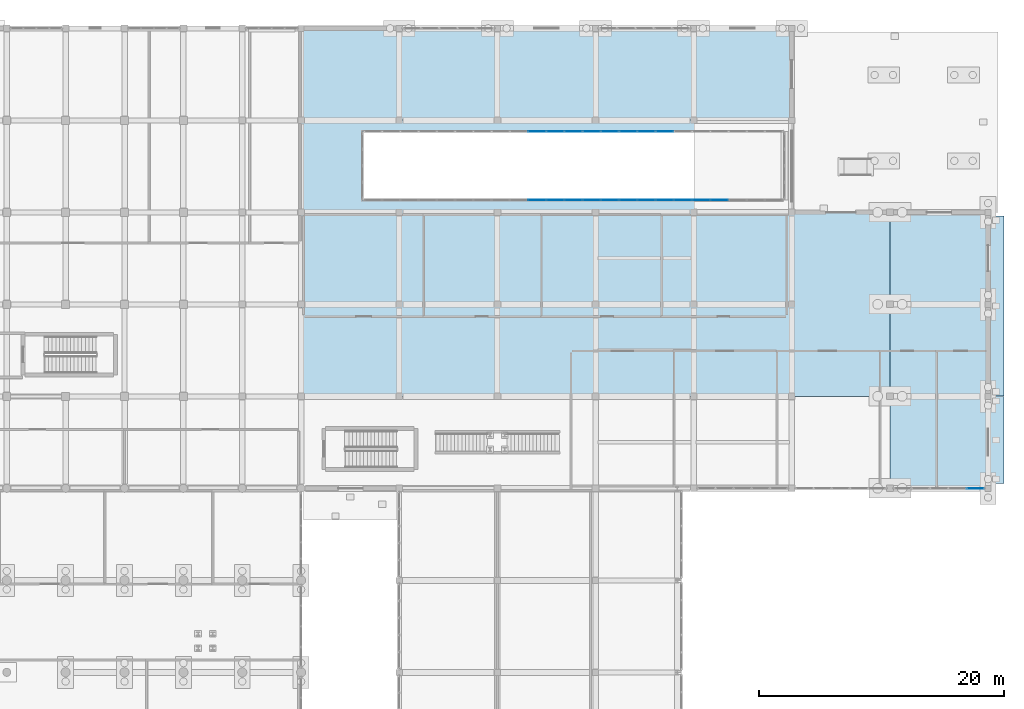
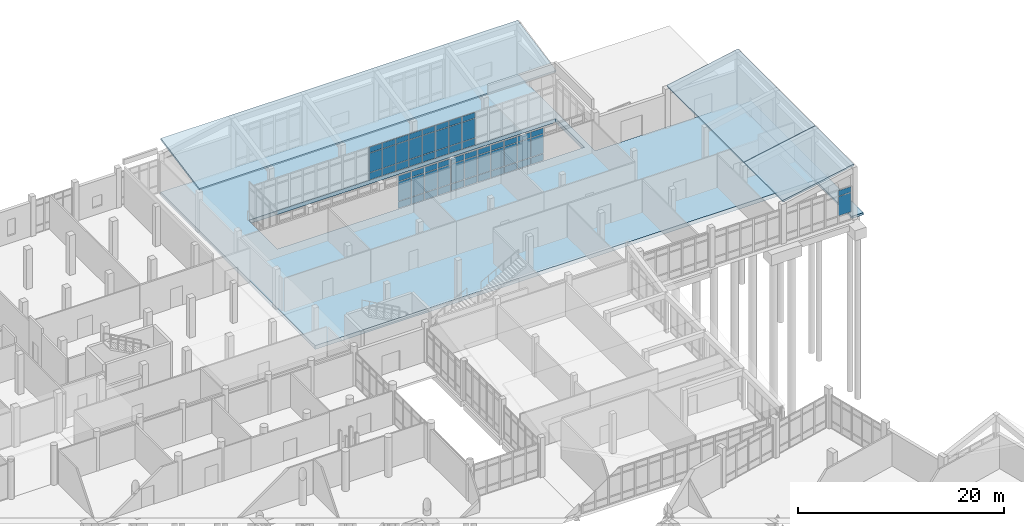
# One storey, part 145 of 173: 59 plates, 6 slabs, 3 elements without a shape of their own.
"""IFC4 building model written with IfcOpenShell, lengths in metres."""

from ifc_helpers import new_model, si_unit, direction, frame, origin, origin_2d, place, context, subcontext, project, spatial, polyline, rectangle, outline, extrude, material, layer, layer_set, type_object, element, aggregate, save


model = new_model("IFC4")

# Units and contexts
model_context = context("Model", 3, precision=1e-05, world=origin(), true_north=direction((0.0, 1.0)))
body_context = subcontext(model_context, "Body", "Model", "MODEL_VIEW")
ifc_project = project(units=[si_unit("LENGTHUNIT", "METRE"), si_unit("AREAUNIT", "SQUARE_METRE"), si_unit("VOLUMEUNIT", "CUBIC_METRE"), si_unit("PLANEANGLEUNIT", "RADIAN"), si_unit("MASSUNIT", "GRAM", prefix="KILO")], contexts=[model_context])

# Site, building, storey
site_placement = place(None, origin())
site = spatial("IfcSite", under=ifc_project, at=site_placement, CompositionType="ELEMENT")
building_placement = place(site_placement, origin())
building = spatial("IfcBuilding", under=site, at=building_placement, Name="Mawjan Specialist Oncology Clinic", CompositionType="ELEMENT")
storey_placement = place(building_placement, origin())
storey = spatial("IfcBuildingStorey", under=building, at=storey_placement, Name="L00", CompositionType="ELEMENT", Elevation=0.0)

# Slabs
ifc_material_1 = material(Name="Concrete C40/50", Category="concrete")
ifc_layer_1 = layer(ifc_material_1, 0.25, Name="Concrete C40/50", Category="concrete")
ifc_layer_set_1 = layer_set([ifc_layer_1], Name="Concrete C40/50")
slab_type_1 = type_object("IfcSlabType", Name="AP-250", PredefinedType="BASESLAB", material=ifc_layer_set_1)
slab_1_placement = place(storey_placement, frame((0.0, 0.0, -0.25)))
element("IfcSlab", 1, at=slab_1_placement, inside=storey, type_object=slab_type_1, Name="Ground Exterior Paved Apron SLB-APR-E2S", PredefinedType="BASESLAB", context=body_context, shape_type="SweptSolid", body=[
    extrude(outline(polyline([(164.0, 76.199951171875), (165.300048828125, 76.199951171875), (165.300048828125, 83.280029296875), (164.0, 83.280029296875), (164.0, 76.199951171875)])), origin(), (0.0, 0.0, 1.0), 0.25),
])
slab_2_placement = place(storey_placement, frame((0.0, 0.0, -0.25)))
element("IfcSlab", 2, at=slab_2_placement, inside=storey, type_object=slab_type_1, Name="Ground Exterior Paved Apron SLB-APR-E2N", PredefinedType="BASESLAB", context=body_context, shape_type="SweptSolid", body=[
    extrude(outline(polyline([(164.0, 83.320068359375), (165.300048828125, 83.320068359375), (165.300048828125, 98.0), (164.0, 98.0), (164.0, 83.320068359375)])), origin(), (0.0, 0.0, 1.0), 0.25),
])

# Curtain wall, plates
ifc_material_2 = material(Name="Unitised spectrally selective aluminium curtain wall", Category="aluminium")
ifc_layer_2 = layer(ifc_material_2, 0.179931640625, Name="Unitised spectrally selective aluminium curtain wall", Category="aluminium")
ifc_layer_set_2 = layer_set([ifc_layer_2], Name="Unitised spectrally selective aluminium curtain wall")
curtain_wall_type_1 = type_object("IfcCurtainWallType", Name="CW-16", PredefinedType="NOTDEFINED", material=ifc_layer_set_2)
curtain_wall_1_placement = place(storey_placement, origin())
curtain_wall_1 = element("IfcCurtainWall", 3, at=curtain_wall_1_placement, inside=storey, type_object=curtain_wall_type_1, Name="L00 Unitised Curtain Wall CW-L00-029", PredefinedType="NOTDEFINED")
ifc_material_3 = material(Name="Spectrally selective double low-E glazing", Category="glass")
ifc_layer_3 = layer(ifc_material_3, 0.035888671875, Name="Spectrally selective double low-E glazing", Category="glass")
ifc_layer_set_3 = layer_set([ifc_layer_3], Name="Spectrally selective double low-E glazing")
plate_type = type_object("IfcPlateType", Name="CW-P36", PredefinedType="CURTAIN_PANEL", material=ifc_layer_set_3)
plate_1_placement = place(storey_placement, frame((162.97021484375, 75.800048828125, 0.932373046875), z_axis=(0.0, 0.0, 1.0), x_axis=(-1.0, 0.0, 0.0)))
plate_1 = element("IfcPlate", 4, at=plate_1_placement, type_object=plate_type, Name="CW-16 panel 1.2", PredefinedType="CURTAIN_PANEL", context=body_context, shape_type="SweptSolid", body=[
    extrude(rectangle(XDim=1.389404296875, YDim=0.035888671875, at=origin_2d()), origin(), (0.0, 0.0, 1.0), 2.27001953125),
])
plate_2_placement = place(storey_placement, frame((162.97021484375, 75.800048828125, 3.267578125), z_axis=(0.0, 0.0, 1.0), x_axis=(-1.0, 0.0, 0.0)))
plate_2 = element("IfcPlate", 5, at=plate_2_placement, type_object=plate_type, Name="CW-16 panel 1.3", PredefinedType="CURTAIN_PANEL", context=body_context, shape_type="SweptSolid", body=[
    extrude(rectangle(XDim=1.389404296875, YDim=0.035888671875, at=origin_2d()), origin(), (0.0, 0.0, 1.0), 0.652587890625),
])
aggregate(curtain_wall_1, [plate_1, plate_2])

ifc_material_4 = material(Name="Unitised spectrally selective aluminium curtain wall", Category="aluminium")
ifc_layer_4 = layer(ifc_material_4, 0.179931640625, Name="Unitised spectrally selective aluminium curtain wall", Category="aluminium")
ifc_layer_set_4 = layer_set([ifc_layer_4], Name="Unitised spectrally selective aluminium curtain wall")
curtain_wall_type_2 = type_object("IfcCurtainWallType", Name="CW-33", PredefinedType="NOTDEFINED", material=ifc_layer_set_4)
curtain_wall_2_placement = place(storey_placement, origin())
curtain_wall_2 = element("IfcCurtainWall", 6, at=curtain_wall_2_placement, inside=storey, type_object=curtain_wall_type_2, Name="L00 Unitised Curtain Wall CW-L00-072", PredefinedType="NOTDEFINED")
plate_3_placement = place(storey_placement, frame((137.63037109375, 104.89990234375, 0.06494140625), z_axis=(0.0, 0.0, 1.0), x_axis=(-1.0, 0.0, 0.0)))
plate_3 = element("IfcPlate", 7, at=plate_3_placement, type_object=plate_type, Name="CW-33 panel 7.1", PredefinedType="CURTAIN_PANEL", context=body_context, shape_type="SweptSolid", body=[
    extrude(rectangle(XDim=1.421142578125, YDim=0.035888671875, at=origin_2d()), origin(), (0.0, 0.0, 1.0), 0.802490234375),
])
plate_4_placement = place(storey_placement, frame((137.63037109375, 104.89990234375, 0.932373046875), z_axis=(0.0, 0.0, 1.0), x_axis=(-1.0, 0.0, 0.0)))
plate_4 = element("IfcPlate", 8, at=plate_4_placement, type_object=plate_type, Name="CW-33 panel 7.2", PredefinedType="CURTAIN_PANEL", context=body_context, shape_type="SweptSolid", body=[
    extrude(rectangle(XDim=1.421142578125, YDim=0.035888671875, at=origin_2d()), origin(), (0.0, 0.0, 1.0), 2.27001953125),
])
plate_5_placement = place(storey_placement, frame((137.63037109375, 104.89990234375, 3.267578125), z_axis=(0.0, 0.0, 1.0), x_axis=(-1.0, 0.0, 0.0)))
plate_5 = element("IfcPlate", 9, at=plate_5_placement, type_object=plate_type, Name="CW-33 panel 7.3", PredefinedType="CURTAIN_PANEL", context=body_context, shape_type="SweptSolid", body=[
    extrude(rectangle(XDim=1.421142578125, YDim=0.035888671875, at=origin_2d()), origin(), (0.0, 0.0, 1.0), 0.652587890625),
])
plate_6_placement = place(storey_placement, frame((136.144287109375, 104.89990234375, 0.06494140625), z_axis=(0.0, 0.0, 1.0), x_axis=(-1.0, 0.0, 0.0)))
plate_6 = element("IfcPlate", 10, at=plate_6_placement, type_object=plate_type, Name="CW-33 panel 8.1", PredefinedType="CURTAIN_PANEL", context=body_context, shape_type="SweptSolid", body=[
    extrude(rectangle(XDim=1.421142578125, YDim=0.035888671875, at=origin_2d()), origin(), (0.0, 0.0, 1.0), 0.802490234375),
])
plate_7_placement = place(storey_placement, frame((136.144287109375, 104.89990234375, 0.932373046875), z_axis=(0.0, 0.0, 1.0), x_axis=(-1.0, 0.0, 0.0)))
plate_7 = element("IfcPlate", 11, at=plate_7_placement, type_object=plate_type, Name="CW-33 panel 8.2", PredefinedType="CURTAIN_PANEL", context=body_context, shape_type="SweptSolid", body=[
    extrude(rectangle(XDim=1.421142578125, YDim=0.035888671875, at=origin_2d()), origin(), (0.0, 0.0, 1.0), 2.27001953125),
])
plate_8_placement = place(storey_placement, frame((136.144287109375, 104.89990234375, 3.267578125), z_axis=(0.0, 0.0, 1.0), x_axis=(-1.0, 0.0, 0.0)))
plate_8 = element("IfcPlate", 12, at=plate_8_placement, type_object=plate_type, Name="CW-33 panel 8.3", PredefinedType="CURTAIN_PANEL", context=body_context, shape_type="SweptSolid", body=[
    extrude(rectangle(XDim=1.421142578125, YDim=0.035888671875, at=origin_2d()), origin(), (0.0, 0.0, 1.0), 0.652587890625),
])
plate_9_placement = place(storey_placement, frame((134.658203125, 104.89990234375, 0.06494140625), z_axis=(0.0, 0.0, 1.0), x_axis=(-1.0, 0.0, 0.0)))
plate_9 = element("IfcPlate", 13, at=plate_9_placement, type_object=plate_type, Name="CW-33 panel 9.1", PredefinedType="CURTAIN_PANEL", context=body_context, shape_type="SweptSolid", body=[
    extrude(rectangle(XDim=1.421142578125, YDim=0.035888671875, at=origin_2d()), origin(), (0.0, 0.0, 1.0), 0.802490234375),
])
plate_10_placement = place(storey_placement, frame((134.658203125, 104.89990234375, 0.932373046875), z_axis=(0.0, 0.0, 1.0), x_axis=(-1.0, 0.0, 0.0)))
plate_10 = element("IfcPlate", 14, at=plate_10_placement, type_object=plate_type, Name="CW-33 panel 9.2", PredefinedType="CURTAIN_PANEL", context=body_context, shape_type="SweptSolid", body=[
    extrude(rectangle(XDim=1.421142578125, YDim=0.035888671875, at=origin_2d()), origin(), (0.0, 0.0, 1.0), 2.27001953125),
])
plate_11_placement = place(storey_placement, frame((134.658203125, 104.89990234375, 3.267578125), z_axis=(0.0, 0.0, 1.0), x_axis=(-1.0, 0.0, 0.0)))
plate_11 = element("IfcPlate", 15, at=plate_11_placement, type_object=plate_type, Name="CW-33 panel 9.3", PredefinedType="CURTAIN_PANEL", context=body_context, shape_type="SweptSolid", body=[
    extrude(rectangle(XDim=1.421142578125, YDim=0.035888671875, at=origin_2d()), origin(), (0.0, 0.0, 1.0), 0.652587890625),
])
plate_12_placement = place(storey_placement, frame((133.172119140625, 104.89990234375, 0.06494140625), z_axis=(0.0, 0.0, 1.0), x_axis=(-1.0, 0.0, 0.0)))
plate_12 = element("IfcPlate", 16, at=plate_12_placement, type_object=plate_type, Name="CW-33 panel 10.1", PredefinedType="CURTAIN_PANEL", context=body_context, shape_type="SweptSolid", body=[
    extrude(rectangle(XDim=1.421142578125, YDim=0.035888671875, at=origin_2d()), origin(), (0.0, 0.0, 1.0), 0.802490234375),
])
plate_13_placement = place(storey_placement, frame((133.172119140625, 104.89990234375, 0.932373046875), z_axis=(0.0, 0.0, 1.0), x_axis=(-1.0, 0.0, 0.0)))
plate_13 = element("IfcPlate", 17, at=plate_13_placement, type_object=plate_type, Name="CW-33 panel 10.2", PredefinedType="CURTAIN_PANEL", context=body_context, shape_type="SweptSolid", body=[
    extrude(rectangle(XDim=1.421142578125, YDim=0.035888671875, at=origin_2d()), origin(), (0.0, 0.0, 1.0), 2.27001953125),
])
plate_14_placement = place(storey_placement, frame((133.172119140625, 104.89990234375, 3.267578125), z_axis=(0.0, 0.0, 1.0), x_axis=(-1.0, 0.0, 0.0)))
plate_14 = element("IfcPlate", 18, at=plate_14_placement, type_object=plate_type, Name="CW-33 panel 10.3", PredefinedType="CURTAIN_PANEL", context=body_context, shape_type="SweptSolid", body=[
    extrude(rectangle(XDim=1.421142578125, YDim=0.035888671875, at=origin_2d()), origin(), (0.0, 0.0, 1.0), 0.652587890625),
])
plate_15_placement = place(storey_placement, frame((131.68603515625, 104.89990234375, 0.06494140625), z_axis=(0.0, 0.0, 1.0), x_axis=(-1.0, 0.0, 0.0)))
plate_15 = element("IfcPlate", 19, at=plate_15_placement, type_object=plate_type, Name="CW-33 panel 11.1", PredefinedType="CURTAIN_PANEL", context=body_context, shape_type="SweptSolid", body=[
    extrude(rectangle(XDim=1.421142578125, YDim=0.035888671875, at=origin_2d()), origin(), (0.0, 0.0, 1.0), 0.802490234375),
])
plate_16_placement = place(storey_placement, frame((131.68603515625, 104.89990234375, 0.932373046875), z_axis=(0.0, 0.0, 1.0), x_axis=(-1.0, 0.0, 0.0)))
plate_16 = element("IfcPlate", 20, at=plate_16_placement, type_object=plate_type, Name="CW-33 panel 11.2", PredefinedType="CURTAIN_PANEL", context=body_context, shape_type="SweptSolid", body=[
    extrude(rectangle(XDim=1.421142578125, YDim=0.035888671875, at=origin_2d()), origin(), (0.0, 0.0, 1.0), 2.27001953125),
])
plate_17_placement = place(storey_placement, frame((131.68603515625, 104.89990234375, 3.267578125), z_axis=(0.0, 0.0, 1.0), x_axis=(-1.0, 0.0, 0.0)))
plate_17 = element("IfcPlate", 21, at=plate_17_placement, type_object=plate_type, Name="CW-33 panel 11.3", PredefinedType="CURTAIN_PANEL", context=body_context, shape_type="SweptSolid", body=[
    extrude(rectangle(XDim=1.421142578125, YDim=0.035888671875, at=origin_2d()), origin(), (0.0, 0.0, 1.0), 0.652587890625),
])
plate_18_placement = place(storey_placement, frame((130.199951171875, 104.89990234375, 0.06494140625), z_axis=(0.0, 0.0, 1.0), x_axis=(-1.0, 0.0, 0.0)))
plate_18 = element("IfcPlate", 22, at=plate_18_placement, type_object=plate_type, Name="CW-33 panel 12.1", PredefinedType="CURTAIN_PANEL", context=body_context, shape_type="SweptSolid", body=[
    extrude(rectangle(XDim=1.421142578125, YDim=0.035888671875, at=origin_2d()), origin(), (0.0, 0.0, 1.0), 0.802490234375),
])
plate_19_placement = place(storey_placement, frame((130.199951171875, 104.89990234375, 0.932373046875), z_axis=(0.0, 0.0, 1.0), x_axis=(-1.0, 0.0, 0.0)))
plate_19 = element("IfcPlate", 23, at=plate_19_placement, type_object=plate_type, Name="CW-33 panel 12.2", PredefinedType="CURTAIN_PANEL", context=body_context, shape_type="SweptSolid", body=[
    extrude(rectangle(XDim=1.421142578125, YDim=0.035888671875, at=origin_2d()), origin(), (0.0, 0.0, 1.0), 2.27001953125),
])
plate_20_placement = place(storey_placement, frame((130.199951171875, 104.89990234375, 3.267578125), z_axis=(0.0, 0.0, 1.0), x_axis=(-1.0, 0.0, 0.0)))
plate_20 = element("IfcPlate", 24, at=plate_20_placement, type_object=plate_type, Name="CW-33 panel 12.3", PredefinedType="CURTAIN_PANEL", context=body_context, shape_type="SweptSolid", body=[
    extrude(rectangle(XDim=1.421142578125, YDim=0.035888671875, at=origin_2d()), origin(), (0.0, 0.0, 1.0), 0.652587890625),
])
plate_21_placement = place(storey_placement, frame((128.7138671875, 104.89990234375, 0.06494140625), z_axis=(0.0, 0.0, 1.0), x_axis=(-1.0, 0.0, 0.0)))
plate_21 = element("IfcPlate", 25, at=plate_21_placement, type_object=plate_type, Name="CW-33 panel 13.1", PredefinedType="CURTAIN_PANEL", context=body_context, shape_type="SweptSolid", body=[
    extrude(rectangle(XDim=1.421142578125, YDim=0.035888671875, at=origin_2d()), origin(), (0.0, 0.0, 1.0), 0.802490234375),
])
plate_22_placement = place(storey_placement, frame((128.7138671875, 104.89990234375, 0.932373046875), z_axis=(0.0, 0.0, 1.0), x_axis=(-1.0, 0.0, 0.0)))
plate_22 = element("IfcPlate", 26, at=plate_22_placement, type_object=plate_type, Name="CW-33 panel 13.2", PredefinedType="CURTAIN_PANEL", context=body_context, shape_type="SweptSolid", body=[
    extrude(rectangle(XDim=1.421142578125, YDim=0.035888671875, at=origin_2d()), origin(), (0.0, 0.0, 1.0), 2.27001953125),
])
plate_23_placement = place(storey_placement, frame((128.7138671875, 104.89990234375, 3.267578125), z_axis=(0.0, 0.0, 1.0), x_axis=(-1.0, 0.0, 0.0)))
plate_23 = element("IfcPlate", 27, at=plate_23_placement, type_object=plate_type, Name="CW-33 panel 13.3", PredefinedType="CURTAIN_PANEL", context=body_context, shape_type="SweptSolid", body=[
    extrude(rectangle(XDim=1.421142578125, YDim=0.035888671875, at=origin_2d()), origin(), (0.0, 0.0, 1.0), 0.652587890625),
])
plate_24_placement = place(storey_placement, frame((127.227783203125, 104.89990234375, 0.06494140625), z_axis=(0.0, 0.0, 1.0), x_axis=(-1.0, 0.0, 0.0)))
plate_24 = element("IfcPlate", 28, at=plate_24_placement, type_object=plate_type, Name="CW-33 panel 14.1", PredefinedType="CURTAIN_PANEL", context=body_context, shape_type="SweptSolid", body=[
    extrude(rectangle(XDim=1.421142578125, YDim=0.035888671875, at=origin_2d()), origin(), (0.0, 0.0, 1.0), 0.802490234375),
])
plate_25_placement = place(storey_placement, frame((127.227783203125, 104.89990234375, 0.932373046875), z_axis=(0.0, 0.0, 1.0), x_axis=(-1.0, 0.0, 0.0)))
plate_25 = element("IfcPlate", 29, at=plate_25_placement, type_object=plate_type, Name="CW-33 panel 14.2", PredefinedType="CURTAIN_PANEL", context=body_context, shape_type="SweptSolid", body=[
    extrude(rectangle(XDim=1.421142578125, YDim=0.035888671875, at=origin_2d()), origin(), (0.0, 0.0, 1.0), 2.27001953125),
])
plate_26_placement = place(storey_placement, frame((127.227783203125, 104.89990234375, 3.267578125), z_axis=(0.0, 0.0, 1.0), x_axis=(-1.0, 0.0, 0.0)))
plate_26 = element("IfcPlate", 30, at=plate_26_placement, type_object=plate_type, Name="CW-33 panel 14.3", PredefinedType="CURTAIN_PANEL", context=body_context, shape_type="SweptSolid", body=[
    extrude(rectangle(XDim=1.421142578125, YDim=0.035888671875, at=origin_2d()), origin(), (0.0, 0.0, 1.0), 0.652587890625),
])
aggregate(curtain_wall_2, [plate_3, plate_4, plate_5, plate_6, plate_7, plate_8, plate_9, plate_10, plate_11, plate_12, plate_13, plate_14, plate_15, plate_16, plate_17, plate_18, plate_19, plate_20, plate_21, plate_22, plate_23, plate_24, plate_25, plate_26])

curtain_wall_3_placement = place(storey_placement, origin())
curtain_wall_3 = element("IfcCurtainWall", 31, at=curtain_wall_3_placement, inside=storey, type_object=curtain_wall_type_2, Name="L00 Unitised Curtain Wall CW-L00-074", PredefinedType="NOTDEFINED")
plate_27_placement = place(storey_placement, frame((127.227783203125, 99.300048828125, 0.06494140625), z_axis=(0.0, 0.0, 1.0), x_axis=(1.0, 0.0, 0.0)))
plate_27 = element("IfcPlate", 32, at=plate_27_placement, type_object=plate_type, Name="CW-33 panel 10.1", PredefinedType="CURTAIN_PANEL", context=body_context, shape_type="SweptSolid", body=[
    extrude(rectangle(XDim=1.421142578125, YDim=0.035888671875, at=origin_2d()), origin(), (0.0, 0.0, 1.0), 0.802490234375),
])
plate_28_placement = place(storey_placement, frame((127.227783203125, 99.300048828125, 0.932373046875), z_axis=(0.0, 0.0, 1.0), x_axis=(1.0, 0.0, 0.0)))
plate_28 = element("IfcPlate", 33, at=plate_28_placement, type_object=plate_type, Name="CW-33 panel 10.2", PredefinedType="CURTAIN_PANEL", context=body_context, shape_type="SweptSolid", body=[
    extrude(rectangle(XDim=1.421142578125, YDim=0.035888671875, at=origin_2d()), origin(), (0.0, 0.0, 1.0), 2.27001953125),
])
plate_29_placement = place(storey_placement, frame((127.227783203125, 99.300048828125, 3.267578125), z_axis=(0.0, 0.0, 1.0), x_axis=(1.0, 0.0, 0.0)))
plate_29 = element("IfcPlate", 34, at=plate_29_placement, type_object=plate_type, Name="CW-33 panel 10.3", PredefinedType="CURTAIN_PANEL", context=body_context, shape_type="SweptSolid", body=[
    extrude(rectangle(XDim=1.421142578125, YDim=0.035888671875, at=origin_2d()), origin(), (0.0, 0.0, 1.0), 0.652587890625),
])
plate_30_placement = place(storey_placement, frame((128.7138671875, 99.300048828125, 0.06494140625), z_axis=(0.0, 0.0, 1.0), x_axis=(1.0, 0.0, 0.0)))
plate_30 = element("IfcPlate", 35, at=plate_30_placement, type_object=plate_type, Name="CW-33 panel 11.1", PredefinedType="CURTAIN_PANEL", context=body_context, shape_type="SweptSolid", body=[
    extrude(rectangle(XDim=1.421142578125, YDim=0.035888671875, at=origin_2d()), origin(), (0.0, 0.0, 1.0), 0.802490234375),
])
plate_31_placement = place(storey_placement, frame((128.7138671875, 99.300048828125, 0.932373046875), z_axis=(0.0, 0.0, 1.0), x_axis=(1.0, 0.0, 0.0)))
plate_31 = element("IfcPlate", 36, at=plate_31_placement, type_object=plate_type, Name="CW-33 panel 11.2", PredefinedType="CURTAIN_PANEL", context=body_context, shape_type="SweptSolid", body=[
    extrude(rectangle(XDim=1.421142578125, YDim=0.035888671875, at=origin_2d()), origin(), (0.0, 0.0, 1.0), 2.27001953125),
])
plate_32_placement = place(storey_placement, frame((128.7138671875, 99.300048828125, 3.267578125), z_axis=(0.0, 0.0, 1.0), x_axis=(1.0, 0.0, 0.0)))
plate_32 = element("IfcPlate", 37, at=plate_32_placement, type_object=plate_type, Name="CW-33 panel 11.3", PredefinedType="CURTAIN_PANEL", context=body_context, shape_type="SweptSolid", body=[
    extrude(rectangle(XDim=1.421142578125, YDim=0.035888671875, at=origin_2d()), origin(), (0.0, 0.0, 1.0), 0.652587890625),
])
plate_33_placement = place(storey_placement, frame((130.199951171875, 99.300048828125, 0.06494140625), z_axis=(0.0, 0.0, 1.0), x_axis=(1.0, 0.0, 0.0)))
plate_33 = element("IfcPlate", 38, at=plate_33_placement, type_object=plate_type, Name="CW-33 panel 12.1", PredefinedType="CURTAIN_PANEL", context=body_context, shape_type="SweptSolid", body=[
    extrude(rectangle(XDim=1.421142578125, YDim=0.035888671875, at=origin_2d()), origin(), (0.0, 0.0, 1.0), 0.802490234375),
])
plate_34_placement = place(storey_placement, frame((130.199951171875, 99.300048828125, 0.932373046875), z_axis=(0.0, 0.0, 1.0), x_axis=(1.0, 0.0, 0.0)))
plate_34 = element("IfcPlate", 39, at=plate_34_placement, type_object=plate_type, Name="CW-33 panel 12.2", PredefinedType="CURTAIN_PANEL", context=body_context, shape_type="SweptSolid", body=[
    extrude(rectangle(XDim=1.421142578125, YDim=0.035888671875, at=origin_2d()), origin(), (0.0, 0.0, 1.0), 2.27001953125),
])
plate_35_placement = place(storey_placement, frame((130.199951171875, 99.300048828125, 3.267578125), z_axis=(0.0, 0.0, 1.0), x_axis=(1.0, 0.0, 0.0)))
plate_35 = element("IfcPlate", 40, at=plate_35_placement, type_object=plate_type, Name="CW-33 panel 12.3", PredefinedType="CURTAIN_PANEL", context=body_context, shape_type="SweptSolid", body=[
    extrude(rectangle(XDim=1.421142578125, YDim=0.035888671875, at=origin_2d()), origin(), (0.0, 0.0, 1.0), 0.652587890625),
])
plate_36_placement = place(storey_placement, frame((131.68603515625, 99.300048828125, 0.06494140625), z_axis=(0.0, 0.0, 1.0), x_axis=(1.0, 0.0, 0.0)))
plate_36 = element("IfcPlate", 41, at=plate_36_placement, type_object=plate_type, Name="CW-33 panel 13.1", PredefinedType="CURTAIN_PANEL", context=body_context, shape_type="SweptSolid", body=[
    extrude(rectangle(XDim=1.421142578125, YDim=0.035888671875, at=origin_2d()), origin(), (0.0, 0.0, 1.0), 0.802490234375),
])
plate_37_placement = place(storey_placement, frame((131.68603515625, 99.300048828125, 0.932373046875), z_axis=(0.0, 0.0, 1.0), x_axis=(1.0, 0.0, 0.0)))
plate_37 = element("IfcPlate", 42, at=plate_37_placement, type_object=plate_type, Name="CW-33 panel 13.2", PredefinedType="CURTAIN_PANEL", context=body_context, shape_type="SweptSolid", body=[
    extrude(rectangle(XDim=1.421142578125, YDim=0.035888671875, at=origin_2d()), origin(), (0.0, 0.0, 1.0), 2.27001953125),
])
plate_38_placement = place(storey_placement, frame((131.68603515625, 99.300048828125, 3.267578125), z_axis=(0.0, 0.0, 1.0), x_axis=(1.0, 0.0, 0.0)))
plate_38 = element("IfcPlate", 43, at=plate_38_placement, type_object=plate_type, Name="CW-33 panel 13.3", PredefinedType="CURTAIN_PANEL", context=body_context, shape_type="SweptSolid", body=[
    extrude(rectangle(XDim=1.421142578125, YDim=0.035888671875, at=origin_2d()), origin(), (0.0, 0.0, 1.0), 0.652587890625),
])
plate_39_placement = place(storey_placement, frame((133.172119140625, 99.300048828125, 0.06494140625), z_axis=(0.0, 0.0, 1.0), x_axis=(1.0, 0.0, 0.0)))
plate_39 = element("IfcPlate", 44, at=plate_39_placement, type_object=plate_type, Name="CW-33 panel 14.1", PredefinedType="CURTAIN_PANEL", context=body_context, shape_type="SweptSolid", body=[
    extrude(rectangle(XDim=1.421142578125, YDim=0.035888671875, at=origin_2d()), origin(), (0.0, 0.0, 1.0), 0.802490234375),
])
plate_40_placement = place(storey_placement, frame((133.172119140625, 99.300048828125, 0.932373046875), z_axis=(0.0, 0.0, 1.0), x_axis=(1.0, 0.0, 0.0)))
plate_40 = element("IfcPlate", 45, at=plate_40_placement, type_object=plate_type, Name="CW-33 panel 14.2", PredefinedType="CURTAIN_PANEL", context=body_context, shape_type="SweptSolid", body=[
    extrude(rectangle(XDim=1.421142578125, YDim=0.035888671875, at=origin_2d()), origin(), (0.0, 0.0, 1.0), 2.27001953125),
])
plate_41_placement = place(storey_placement, frame((133.172119140625, 99.300048828125, 3.267578125), z_axis=(0.0, 0.0, 1.0), x_axis=(1.0, 0.0, 0.0)))
plate_41 = element("IfcPlate", 46, at=plate_41_placement, type_object=plate_type, Name="CW-33 panel 14.3", PredefinedType="CURTAIN_PANEL", context=body_context, shape_type="SweptSolid", body=[
    extrude(rectangle(XDim=1.421142578125, YDim=0.035888671875, at=origin_2d()), origin(), (0.0, 0.0, 1.0), 0.652587890625),
])
plate_42_placement = place(storey_placement, frame((134.658203125, 99.300048828125, 0.06494140625), z_axis=(0.0, 0.0, 1.0), x_axis=(1.0, 0.0, 0.0)))
plate_42 = element("IfcPlate", 47, at=plate_42_placement, type_object=plate_type, Name="CW-33 panel 15.1", PredefinedType="CURTAIN_PANEL", context=body_context, shape_type="SweptSolid", body=[
    extrude(rectangle(XDim=1.421142578125, YDim=0.035888671875, at=origin_2d()), origin(), (0.0, 0.0, 1.0), 0.802490234375),
])
plate_43_placement = place(storey_placement, frame((134.658203125, 99.300048828125, 0.932373046875), z_axis=(0.0, 0.0, 1.0), x_axis=(1.0, 0.0, 0.0)))
plate_43 = element("IfcPlate", 48, at=plate_43_placement, type_object=plate_type, Name="CW-33 panel 15.2", PredefinedType="CURTAIN_PANEL", context=body_context, shape_type="SweptSolid", body=[
    extrude(rectangle(XDim=1.421142578125, YDim=0.035888671875, at=origin_2d()), origin(), (0.0, 0.0, 1.0), 2.27001953125),
])
plate_44_placement = place(storey_placement, frame((134.658203125, 99.300048828125, 3.267578125), z_axis=(0.0, 0.0, 1.0), x_axis=(1.0, 0.0, 0.0)))
plate_44 = element("IfcPlate", 49, at=plate_44_placement, type_object=plate_type, Name="CW-33 panel 15.3", PredefinedType="CURTAIN_PANEL", context=body_context, shape_type="SweptSolid", body=[
    extrude(rectangle(XDim=1.421142578125, YDim=0.035888671875, at=origin_2d()), origin(), (0.0, 0.0, 1.0), 0.652587890625),
])
plate_45_placement = place(storey_placement, frame((136.144287109375, 99.300048828125, 0.06494140625), z_axis=(0.0, 0.0, 1.0), x_axis=(1.0, 0.0, 0.0)))
plate_45 = element("IfcPlate", 50, at=plate_45_placement, type_object=plate_type, Name="CW-33 panel 16.1", PredefinedType="CURTAIN_PANEL", context=body_context, shape_type="SweptSolid", body=[
    extrude(rectangle(XDim=1.421142578125, YDim=0.035888671875, at=origin_2d()), origin(), (0.0, 0.0, 1.0), 0.802490234375),
])
plate_46_placement = place(storey_placement, frame((136.144287109375, 99.300048828125, 0.932373046875), z_axis=(0.0, 0.0, 1.0), x_axis=(1.0, 0.0, 0.0)))
plate_46 = element("IfcPlate", 51, at=plate_46_placement, type_object=plate_type, Name="CW-33 panel 16.2", PredefinedType="CURTAIN_PANEL", context=body_context, shape_type="SweptSolid", body=[
    extrude(rectangle(XDim=1.421142578125, YDim=0.035888671875, at=origin_2d()), origin(), (0.0, 0.0, 1.0), 2.27001953125),
])
plate_47_placement = place(storey_placement, frame((136.144287109375, 99.300048828125, 3.267578125), z_axis=(0.0, 0.0, 1.0), x_axis=(1.0, 0.0, 0.0)))
plate_47 = element("IfcPlate", 52, at=plate_47_placement, type_object=plate_type, Name="CW-33 panel 16.3", PredefinedType="CURTAIN_PANEL", context=body_context, shape_type="SweptSolid", body=[
    extrude(rectangle(XDim=1.421142578125, YDim=0.035888671875, at=origin_2d()), origin(), (0.0, 0.0, 1.0), 0.652587890625),
])
plate_48_placement = place(storey_placement, frame((137.63037109375, 99.300048828125, 0.06494140625), z_axis=(0.0, 0.0, 1.0), x_axis=(1.0, 0.0, 0.0)))
plate_48 = element("IfcPlate", 53, at=plate_48_placement, type_object=plate_type, Name="CW-33 panel 17.1", PredefinedType="CURTAIN_PANEL", context=body_context, shape_type="SweptSolid", body=[
    extrude(rectangle(XDim=1.421142578125, YDim=0.035888671875, at=origin_2d()), origin(), (0.0, 0.0, 1.0), 0.802490234375),
])
plate_49_placement = place(storey_placement, frame((137.63037109375, 99.300048828125, 0.932373046875), z_axis=(0.0, 0.0, 1.0), x_axis=(1.0, 0.0, 0.0)))
plate_49 = element("IfcPlate", 54, at=plate_49_placement, type_object=plate_type, Name="CW-33 panel 17.2", PredefinedType="CURTAIN_PANEL", context=body_context, shape_type="SweptSolid", body=[
    extrude(rectangle(XDim=1.421142578125, YDim=0.035888671875, at=origin_2d()), origin(), (0.0, 0.0, 1.0), 2.27001953125),
])
plate_50_placement = place(storey_placement, frame((137.63037109375, 99.300048828125, 3.267578125), z_axis=(0.0, 0.0, 1.0), x_axis=(1.0, 0.0, 0.0)))
plate_50 = element("IfcPlate", 55, at=plate_50_placement, type_object=plate_type, Name="CW-33 panel 17.3", PredefinedType="CURTAIN_PANEL", context=body_context, shape_type="SweptSolid", body=[
    extrude(rectangle(XDim=1.421142578125, YDim=0.035888671875, at=origin_2d()), origin(), (0.0, 0.0, 1.0), 0.652587890625),
])
plate_51_placement = place(storey_placement, frame((139.116455078125, 99.300048828125, 0.06494140625), z_axis=(0.0, 0.0, 1.0), x_axis=(1.0, 0.0, 0.0)))
plate_51 = element("IfcPlate", 56, at=plate_51_placement, type_object=plate_type, Name="CW-33 panel 18.1", PredefinedType="CURTAIN_PANEL", context=body_context, shape_type="SweptSolid", body=[
    extrude(rectangle(XDim=1.421142578125, YDim=0.035888671875, at=origin_2d()), origin(), (0.0, 0.0, 1.0), 0.802490234375),
])
plate_52_placement = place(storey_placement, frame((139.116455078125, 99.300048828125, 0.932373046875), z_axis=(0.0, 0.0, 1.0), x_axis=(1.0, 0.0, 0.0)))
plate_52 = element("IfcPlate", 57, at=plate_52_placement, type_object=plate_type, Name="CW-33 panel 18.2", PredefinedType="CURTAIN_PANEL", context=body_context, shape_type="SweptSolid", body=[
    extrude(rectangle(XDim=1.421142578125, YDim=0.035888671875, at=origin_2d()), origin(), (0.0, 0.0, 1.0), 2.27001953125),
])
plate_53_placement = place(storey_placement, frame((139.116455078125, 99.300048828125, 3.267578125), z_axis=(0.0, 0.0, 1.0), x_axis=(1.0, 0.0, 0.0)))
plate_53 = element("IfcPlate", 58, at=plate_53_placement, type_object=plate_type, Name="CW-33 panel 18.3", PredefinedType="CURTAIN_PANEL", context=body_context, shape_type="SweptSolid", body=[
    extrude(rectangle(XDim=1.421142578125, YDim=0.035888671875, at=origin_2d()), origin(), (0.0, 0.0, 1.0), 0.652587890625),
])
plate_54_placement = place(storey_placement, frame((140.6025390625, 99.300048828125, 0.06494140625), z_axis=(0.0, 0.0, 1.0), x_axis=(1.0, 0.0, 0.0)))
plate_54 = element("IfcPlate", 59, at=plate_54_placement, type_object=plate_type, Name="CW-33 panel 19.1", PredefinedType="CURTAIN_PANEL", context=body_context, shape_type="SweptSolid", body=[
    extrude(rectangle(XDim=1.421142578125, YDim=0.035888671875, at=origin_2d()), origin(), (0.0, 0.0, 1.0), 0.802490234375),
])
plate_55_placement = place(storey_placement, frame((140.6025390625, 99.300048828125, 0.932373046875), z_axis=(0.0, 0.0, 1.0), x_axis=(1.0, 0.0, 0.0)))
plate_55 = element("IfcPlate", 60, at=plate_55_placement, type_object=plate_type, Name="CW-33 panel 19.2", PredefinedType="CURTAIN_PANEL", context=body_context, shape_type="SweptSolid", body=[
    extrude(rectangle(XDim=1.421142578125, YDim=0.035888671875, at=origin_2d()), origin(), (0.0, 0.0, 1.0), 2.27001953125),
])
plate_56_placement = place(storey_placement, frame((140.6025390625, 99.300048828125, 3.267578125), z_axis=(0.0, 0.0, 1.0), x_axis=(1.0, 0.0, 0.0)))
plate_56 = element("IfcPlate", 61, at=plate_56_placement, type_object=plate_type, Name="CW-33 panel 19.3", PredefinedType="CURTAIN_PANEL", context=body_context, shape_type="SweptSolid", body=[
    extrude(rectangle(XDim=1.421142578125, YDim=0.035888671875, at=origin_2d()), origin(), (0.0, 0.0, 1.0), 0.652587890625),
])
plate_57_placement = place(storey_placement, frame((142.088623046875, 99.300048828125, 0.06494140625), z_axis=(0.0, 0.0, 1.0), x_axis=(1.0, 0.0, 0.0)))
plate_57 = element("IfcPlate", 62, at=plate_57_placement, type_object=plate_type, Name="CW-33 panel 20.1", PredefinedType="CURTAIN_PANEL", context=body_context, shape_type="SweptSolid", body=[
    extrude(rectangle(XDim=1.421142578125, YDim=0.035888671875, at=origin_2d()), origin(), (0.0, 0.0, 1.0), 0.802490234375),
])
plate_58_placement = place(storey_placement, frame((142.088623046875, 99.300048828125, 0.932373046875), z_axis=(0.0, 0.0, 1.0), x_axis=(1.0, 0.0, 0.0)))
plate_58 = element("IfcPlate", 63, at=plate_58_placement, type_object=plate_type, Name="CW-33 panel 20.2", PredefinedType="CURTAIN_PANEL", context=body_context, shape_type="SweptSolid", body=[
    extrude(rectangle(XDim=1.421142578125, YDim=0.035888671875, at=origin_2d()), origin(), (0.0, 0.0, 1.0), 2.27001953125),
])
plate_59_placement = place(storey_placement, frame((142.088623046875, 99.300048828125, 3.267578125), z_axis=(0.0, 0.0, 1.0), x_axis=(1.0, 0.0, 0.0)))
plate_59 = element("IfcPlate", 64, at=plate_59_placement, type_object=plate_type, Name="CW-33 panel 20.3", PredefinedType="CURTAIN_PANEL", context=body_context, shape_type="SweptSolid", body=[
    extrude(rectangle(XDim=1.421142578125, YDim=0.035888671875, at=origin_2d()), origin(), (0.0, 0.0, 1.0), 0.652587890625),
])
aggregate(curtain_wall_3, [plate_27, plate_28, plate_29, plate_30, plate_31, plate_32, plate_33, plate_34, plate_35, plate_36, plate_37, plate_38, plate_39, plate_40, plate_41, plate_42, plate_43, plate_44, plate_45, plate_46, plate_47, plate_48, plate_49, plate_50, plate_51, plate_52, plate_53, plate_54, plate_55, plate_56, plate_57, plate_58, plate_59])

# Slabs
ifc_material_5 = material(Name="Concrete C40/50", Category="concrete")
ifc_layer_5 = layer(ifc_material_5, 0.449951171875, Name="Concrete C40/50", Category="concrete")
ifc_layer_set_5 = layer_set([ifc_layer_5], Name="Concrete C40/50")
slab_type_2 = type_object("IfcSlabType", Name="FS-450", PredefinedType="FLOOR", material=ifc_layer_set_5)
slab_3_placement = place(storey_placement, frame((0.0, 0.0, -0.449951171875)))
element("IfcSlab", 65, at=slab_3_placement, inside=storey, type_object=slab_type_2, Name="L00 Diagnostic Imaging Pavilion Slab SLB-V2-L00", PredefinedType="FLOOR", context=body_context, shape_type="SweptSolid", body=[
    extrude(outline(polyline([(108.0, 83.300048828125), (164.0, 83.300048828125), (164.0, 98.300048828125), (148.0, 98.300048828125), (148.0, 113.300048828125), (108.0, 113.300048828125), (108.0, 83.300048828125)]), holes=[polyline([(113.0, 99.300048828125), (147.39990234375, 99.300048828125), (147.39990234375, 104.89990234375), (113.0, 104.89990234375), (113.0, 99.300048828125)])]), origin(), (0.0, 0.0, 1.0), 0.449951171875),
])
ifc_material_6 = material(Name="Concrete C35/45", Category="concrete")
ifc_layer_6 = layer(ifc_material_6, 0.219970703125, Name="Concrete C35/45", Category="concrete")
ifc_layer_set_6 = layer_set([ifc_layer_6], Name="Concrete C35/45")
slab_type_3 = type_object("IfcSlabType", Name="RF-SLP220", PredefinedType="ROOF", material=ifc_layer_set_6)
slab_4_placement = place(storey_placement, frame((156.02001953125, 75.800048828125, 4.929931640625), z_axis=(-0.187114869944, 0.0, 0.982338040313), x_axis=(0.0, 1.0, 0.0)))
element("IfcSlab", 66, at=slab_4_placement, inside=storey, type_object=slab_type_3, Name="Diagnostic Imaging South-East Step-Back Sloped Roof", PredefinedType="ROOF", context=body_context, shape_type="SweptSolid", body=[
    extrude(outline(polyline([(0.0, 0.0), (7.47998046875, 0.0), (7.47998046875, -8.123456632309484), (0.0, -8.123456632309484), (0.0, 0.0)])), origin(), (0.0, 0.0, -1.0), 0.219970703125),
])
slab_5_placement = place(storey_placement, frame((156.02001953125, 83.320068359375, 4.929931640625), z_axis=(-0.187114869944, 0.0, 0.982338040313), x_axis=(0.0, 1.0, 0.0)))
element("IfcSlab", 67, at=slab_5_placement, inside=storey, type_object=slab_type_3, Name="Diagnostic Imaging North-East Step-Back Sloped Roof", PredefinedType="ROOF", context=body_context, shape_type="SweptSolid", body=[
    extrude(outline(polyline([(0.0, 0.0), (14.97998046875, 0.0), (14.97998046875, -8.123456632309484), (0.0, -8.123456632309484), (0.0, 0.0)])), origin(), (0.0, 0.0, -1.0), 0.219970703125),
])
slab_6_placement = place(storey_placement, frame((108.02001953125, 105.820068359375, 4.929931640625), z_axis=(0.0, -0.187798548502, 0.982207567259), x_axis=(1.0, 0.0, 0.0)))
element("IfcSlab", 68, at=slab_6_placement, inside=storey, type_object=slab_type_3, Name="Diagnostic Imaging North Step-Back Sloped Roof", PredefinedType="ROOF", context=body_context, shape_type="SweptSolid", body=[
    extrude(outline(polyline([(0.0, 0.0), (39.97998046875, 0.0), (39.97998046875, 7.61547835517609), (0.0, 7.61547835517609), (0.0, 0.0)])), origin(), (0.0, 0.0, -1.0), 0.219970703125),
])

save(model, "model.ifc")
